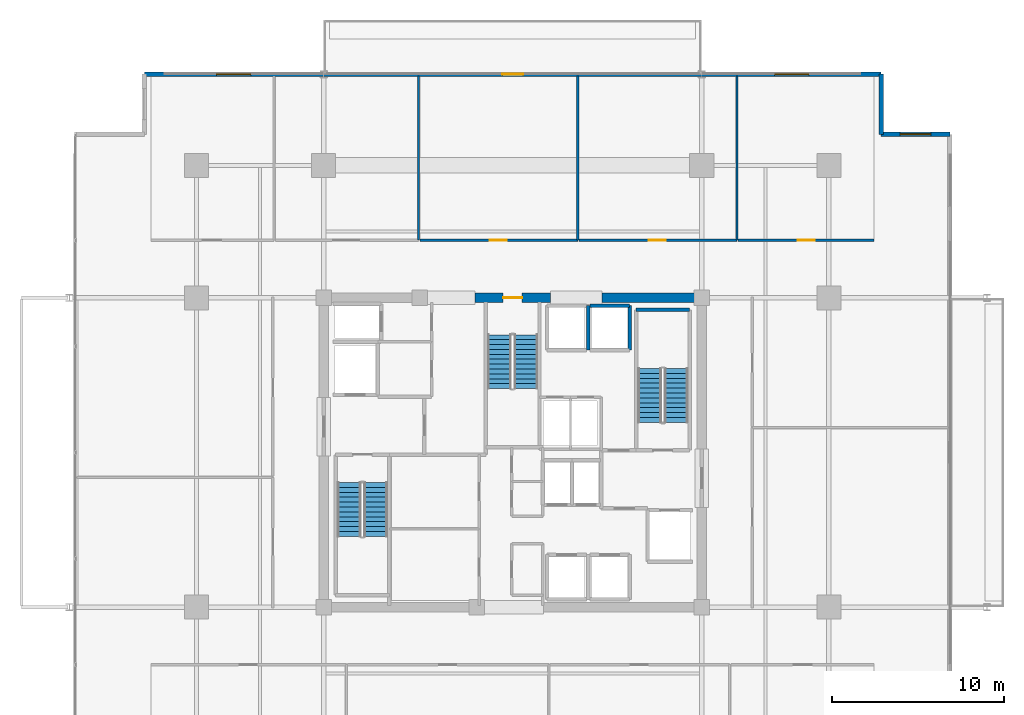
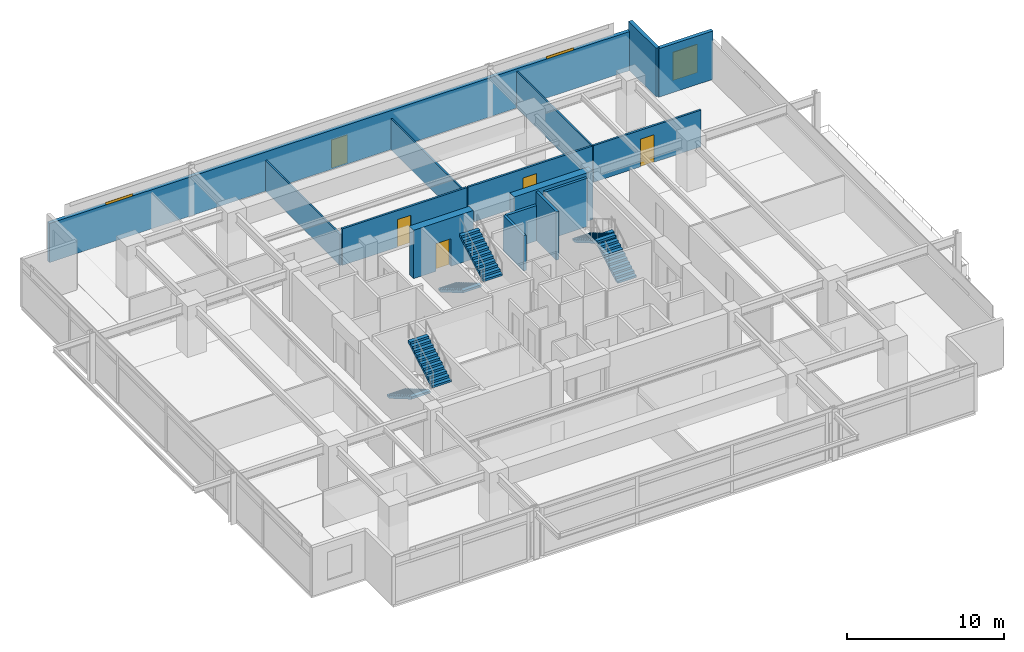
# One storey, part 17 of 21: 15 walls, 6 stair flights, 5 doors, 3 windows, 8 openings, 3 elements without a shape of their own.
"""IFC4 building model written with IfcOpenShell, lengths in metres."""

from ifc_helpers import new_model, si_unit, direction, frame, frame_2d, origin, place, context, subcontext, project, spatial, polyline, rectangle, outline, extrude, material, layer, layer_set, type_object, element, fill, aggregate, save


model = new_model("IFC4")

# Units and contexts
model_context = context("Model", 3, precision=1e-05, world=origin(), true_north=direction((0.0, 1.0)))
body_context = subcontext(model_context, "Body", "Model", "MODEL_VIEW")
ifc_project = project(units=[si_unit("LENGTHUNIT", "METRE"), si_unit("AREAUNIT", "SQUARE_METRE"), si_unit("VOLUMEUNIT", "CUBIC_METRE"), si_unit("PLANEANGLEUNIT", "RADIAN"), si_unit("MASSUNIT", "GRAM", prefix="KILO")], contexts=[model_context])

# Site, building, storey
site_placement = place(None, origin())
site = spatial("IfcSite", under=ifc_project, at=site_placement, CompositionType="ELEMENT")
building_placement = place(site_placement, origin())
building = spatial("IfcBuilding", under=site, at=building_placement, Name="Kovane Verandah Tower", CompositionType="ELEMENT")
storey_placement = place(building_placement, frame((0.0, 0.0, 217.199951171875)))
storey = spatial("IfcBuildingStorey", under=building, at=storey_placement, Name="L50", CompositionType="ELEMENT", Elevation=217.199951171875)

# Wall, opening, door
ifc_material_1 = material(Name="Fire-Rated Gypsum Stud Partition", Category="gypsum")
ifc_layer_1 = layer(ifc_material_1, 0.14990234375)
ifc_layer_set_1 = layer_set([ifc_layer_1], Name="Fire-Rated Gypsum Stud Partition")
wall_type_1 = type_object("IfcWallType", Name="WL-COR-150", PredefinedType="PARTITIONING", material=ifc_layer_set_1)
wall_1_placement = place(storey_placement, frame((34.600341796875, 39.85009765625, 0.0), z_axis=(0.0, 0.0, 1.0), x_axis=(1.0, 0.0, 0.0)))
wall_1 = element("IfcWall", 1, at=wall_1_placement, inside=storey, type_object=wall_type_1, Name="L50 Meeting Room N3 Corridor Partition", PredefinedType="PARTITIONING", context=body_context, shape_type="SweptSolid", body=[
    extrude(rectangle(XDim=9.186279296875, YDim=0.14990234375, at=frame_2d((4.59326171875, 0.0))), origin(), (0.0, 0.0, 1.0), 2.85009765625),
])
opening_1_placement = place(wall_1_placement, frame((4.05810546875, 0.0, 0.0)))
opening_1 = element("IfcOpeningElement", 2, at=opening_1_placement, cuts=wall_1, Name="Opening DR-L50-020", PredefinedType="OPENING", context=body_context, shape_type="SweptSolid", body=[
    extrude(rectangle(XDim=1.0, YDim=2.14990234375, at=frame_2d((0.5, 1.074951171875))), frame((0.0, 0.074951171875, 0.0), z_axis=(0.0, -1.0, 0.0), x_axis=(1.0, 0.0, 0.0)), (0.0, 0.0, 1.0), 0.14990234375),
])
ifc_material_2 = material(Name="FSC Spotted-Gum Timber Fire-Rated Office Door", Category="wood")
door_type_1 = type_object("IfcDoorType", Name="DR-OFF-1000", OperationType="SINGLE_SWING_LEFT", PredefinedType="DOOR", material=ifc_material_2)
door_1_placement = place(opening_1_placement, origin())
door_1 = element("IfcDoor", 3, at=door_1_placement, inside=storey, type_object=door_type_1, Name="L50 Meeting Room N3 Entrance Door", OperationType="SINGLE_SWING_RIGHT", OverallHeight=2.14990234375, OverallWidth=1.0, PredefinedType="DOOR", context=body_context, shape_type="SweptSolid", body=[
    extrude(rectangle(XDim=1.0, YDim=2.14990234375, at=frame_2d((0.5, 1.074951171875))), frame((0.0, 0.02490234375, 0.0), z_axis=(0.0, -1.0, 0.0), x_axis=(1.0, 0.0, 0.0)), (0.0, 0.0, 1.0), 0.050048828125),
])
fill(opening_1, door_1)

wall_2_placement = place(storey_placement, frame((43.856689453125, 39.85009765625, 0.0), z_axis=(0.0, 0.0, 1.0), x_axis=(1.0, 0.0, 0.0)))
wall_2 = element("IfcWall", 4, at=wall_2_placement, inside=storey, type_object=wall_type_1, Name="L50 Focus Studio N4 Corridor Partition", PredefinedType="PARTITIONING", context=body_context, shape_type="SweptSolid", body=[
    extrude(rectangle(XDim=9.1865234375, YDim=0.14990234375, at=frame_2d((4.59326171875, 0.0))), origin(), (0.0, 0.0, 1.0), 2.85009765625),
])
opening_2_placement = place(wall_2_placement, frame((4.058349609375, 0.0, 0.0)))
opening_2 = element("IfcOpeningElement", 5, at=opening_2_placement, cuts=wall_2, Name="Opening DR-L50-021", PredefinedType="OPENING", context=body_context, shape_type="SweptSolid", body=[
    extrude(rectangle(XDim=1.0, YDim=2.14990234375, at=frame_2d((0.5, 1.074951171875))), frame((0.0, 0.074951171875, 0.0), z_axis=(0.0, -1.0, 0.0), x_axis=(1.0, 0.0, 0.0)), (0.0, 0.0, 1.0), 0.14990234375),
])
door_2_placement = place(opening_2_placement, origin())
door_2 = element("IfcDoor", 6, at=door_2_placement, inside=storey, type_object=door_type_1, Name="L50 Focus Studio N4 Entrance Door", OperationType="SINGLE_SWING_LEFT", OverallHeight=2.14990234375, OverallWidth=1.0, PredefinedType="DOOR", context=body_context, shape_type="SweptSolid", body=[
    extrude(rectangle(XDim=1.0, YDim=2.14990234375, at=frame_2d((0.5, 1.074951171875))), frame((0.0, 0.02490234375, 0.0), z_axis=(0.0, -1.0, 0.0), x_axis=(1.0, 0.0, 0.0)), (0.0, 0.0, 1.0), 0.050048828125),
])
fill(opening_2, door_2)

wall_3_placement = place(storey_placement, frame((53.11328125, 39.85009765625, 0.0), z_axis=(0.0, 0.0, 1.0), x_axis=(1.0, 0.0, 0.0)))
wall_3 = element("IfcWall", 7, at=wall_3_placement, inside=storey, type_object=wall_type_1, Name="L50 Breakout Pantry N5 Corridor Partition", PredefinedType="PARTITIONING", context=body_context, shape_type="SweptSolid", body=[
    extrude(rectangle(XDim=7.924072265625, YDim=0.14990234375, at=frame_2d((3.9619140625, 0.0))), origin(), (0.0, 0.0, 1.0), 2.85009765625),
])
opening_3_placement = place(wall_3_placement, frame((3.462158203125, 0.0, 0.0)))
opening_3 = element("IfcOpeningElement", 8, at=opening_3_placement, cuts=wall_3, Name="Opening DR-L50-022", PredefinedType="OPENING", context=body_context, shape_type="SweptSolid", body=[
    extrude(rectangle(XDim=1.0, YDim=2.14990234375, at=frame_2d((0.5, 1.074951171875))), frame((0.0, 0.074951171875, 0.0), z_axis=(0.0, -1.0, 0.0), x_axis=(1.0, 0.0, 0.0)), (0.0, 0.0, 1.0), 0.14990234375),
])
door_3_placement = place(opening_3_placement, origin())
door_3 = element("IfcDoor", 9, at=door_3_placement, inside=storey, type_object=door_type_1, Name="L50 Breakout Pantry N5 Entrance Door", OperationType="SINGLE_SWING_RIGHT", OverallHeight=2.14990234375, OverallWidth=1.0, PredefinedType="DOOR", context=body_context, shape_type="SweptSolid", body=[
    extrude(rectangle(XDim=1.0, YDim=2.14990234375, at=frame_2d((0.5, 1.074951171875))), frame((0.0, 0.02490234375, 0.0), z_axis=(0.0, -1.0, 0.0), x_axis=(1.0, 0.0, 0.0)), (0.0, 0.0, 1.0), 0.050048828125),
])
fill(opening_3, door_3)

ifc_material_3 = material(Name="Concrete C60/75", Category="concrete")
ifc_layer_2 = layer(ifc_material_3, 0.550048828125)
ifc_layer_set_2 = layer_set([ifc_layer_2], Name="Concrete C60/75")
wall_type_2 = type_object("IfcWallType", Name="WL-CORE-550", PredefinedType="SHEAR", material=ifc_layer_set_2)
wall_4_placement = place(storey_placement, frame((37.800048828125, 36.5, 0.0), z_axis=(0.0, 0.0, 1.0), x_axis=(1.0, 0.0, 0.0)))
wall_4 = element("IfcWall", 10, at=wall_4_placement, inside=storey, type_object=wall_type_2, Name="L50 Core Shear Wall CN-2", PredefinedType="SHEAR", context=body_context, shape_type="SweptSolid", body=[
    extrude(rectangle(XDim=4.39990234375, YDim=0.550048828125, at=frame_2d((2.199951171875, 0.0))), origin(), (0.0, 0.0, 1.0), 3.775146484375),
])
opening_4_placement = place(wall_4_placement, frame((1.64990234375, 0.0, 0.0)))
opening_4 = element("IfcOpeningElement", 11, at=opening_4_placement, cuts=wall_4, Name="Opening DR-L50-011", PredefinedType="OPENING", context=body_context, shape_type="SweptSolid", body=[
    extrude(rectangle(XDim=1.10009765625, YDim=2.14990234375, at=frame_2d((0.550048828125, 1.074951171875))), frame((0.0, 0.27490234375, 0.0), z_axis=(0.0, -1.0, 0.0), x_axis=(1.0, 0.0, 0.0)), (0.0, 0.0, 1.0), 0.550048828125),
])
ifc_material_4 = material(Name="Fire-Rated Steel Exit Door", Category="steel")
door_type_2 = type_object("IfcDoorType", Name="DR-STAIR-1100", OperationType="SINGLE_SWING_LEFT", PredefinedType="DOOR", material=ifc_material_4)
door_4_placement = place(opening_4_placement, origin())
door_4 = element("IfcDoor", 12, at=door_4_placement, inside=storey, type_object=door_type_2, Name="L50 ST-03 Fire Exit Stair Door", OperationType="SINGLE_SWING_RIGHT", OverallHeight=2.14990234375, OverallWidth=1.10009765625, PredefinedType="DOOR", context=body_context, shape_type="SweptSolid", body=[
    extrude(rectangle(XDim=1.10009765625, YDim=2.14990234375, at=frame_2d((0.550048828125, 1.074951171875))), frame((0.0, 0.02490234375, 0.0), z_axis=(0.0, -1.0, 0.0), x_axis=(1.0, 0.0, 0.0)), (0.0, 0.0, 1.0), 0.050048828125),
])
fill(opening_4, door_4)

# Walls
wall_5_placement = place(storey_placement, frame((45.199951171875, 36.5, 0.0), z_axis=(0.0, 0.0, 1.0), x_axis=(1.0, 0.0, 0.0)))
element("IfcWall", 13, at=wall_5_placement, inside=storey, type_object=wall_type_2, Name="L50 Core Shear Wall CN-3", PredefinedType="SHEAR", context=body_context, shape_type="SweptSolid", body=[
    extrude(rectangle(XDim=5.800048828125, YDim=0.550048828125, at=frame_2d((2.89990234375, 0.0))), origin(), (0.0, 0.0, 1.0), 3.775146484375),
])
ifc_material_5 = material(Name="Concrete C45/55 Lift Shaft Wall", Category="concrete")
ifc_layer_3 = layer(ifc_material_5, 0.199951171875)
ifc_layer_set_3 = layer_set([ifc_layer_3], Name="Concrete C45/55 Lift Shaft Wall")
wall_type_3 = type_object("IfcWallType", Name="WL-LIFT-200", PredefinedType="SOLIDWALL", material=ifc_layer_set_3)
wall_6_placement = place(storey_placement, frame((44.39990234375, 33.449951171875, 0.0), z_axis=(0.0, 0.0, 1.0), x_axis=(0.0, 1.0, 0.0)))
element("IfcWall", 14, at=wall_6_placement, inside=storey, type_object=wall_type_3, Name="L50 Lift OL-01 and SL-01 Shared Shaft Wall", PredefinedType="SOLIDWALL", context=body_context, shape_type="SweptSolid", body=[
    extrude(rectangle(XDim=2.60009765625, YDim=0.199951171875, at=frame_2d((1.300048828125, 0.0))), origin(), (0.0, 0.0, 1.0), 2.755126953125),
])
wall_7_placement = place(storey_placement, frame((46.800048828125, 36.050048828125, 0.0), z_axis=(0.0, 0.0, 1.0), x_axis=(-1.0, 0.0, 0.0)))
element("IfcWall", 15, at=wall_7_placement, inside=storey, type_object=wall_type_3, Name="L50 Lift OL-01 N Shaft Wall", PredefinedType="SOLIDWALL", context=body_context, shape_type="SweptSolid", body=[
    extrude(rectangle(XDim=2.300048828125, YDim=0.199951171875, at=frame_2d((1.14990234375, 0.0))), origin(), (0.0, 0.0, 1.0), 2.755126953125),
])
wall_8_placement = place(storey_placement, frame((46.800048828125, 33.449951171875, 0.0), z_axis=(0.0, 0.0, 1.0), x_axis=(0.0, 1.0, 0.0)))
element("IfcWall", 16, at=wall_8_placement, inside=storey, type_object=wall_type_3, Name="L50 Lift OL-01 E Shaft Wall", PredefinedType="SOLIDWALL", context=body_context, shape_type="SweptSolid", body=[
    extrude(rectangle(XDim=2.60009765625, YDim=0.199951171875, at=frame_2d((1.300048828125, 0.0))), origin(), (0.0, 0.0, 1.0), 3.775146484375),
])
ifc_material_6 = material(Name="Acoustic Fire-Rated Gypsum Partition", Category="gypsum")
ifc_layer_4 = layer(ifc_material_6, 0.1201171875)
ifc_layer_set_4 = layer_set([ifc_layer_4], Name="Acoustic Fire-Rated Gypsum Partition")
wall_type_4 = type_object("IfcWallType", Name="WL-PART-120", PredefinedType="PARTITIONING", material=ifc_layer_set_4)
for number, where, z_axis, x_axis, name in (
    (17, (34.5302734375, 39.85009765625, 0.0), (0.0, 0.0, 1.0), (0.0, 1.0, 0.0), "L50 Client Boardroom N2 Dividing Partition"),
    (18, (43.78662109375, 39.85009765625, 0.0), (0.0, 0.0, 1.0), (0.0, 1.0, 0.0), "L50 Meeting Room N3 Dividing Partition"),
):
    element("IfcWall", number, at=place(storey_placement, frame(where, z_axis=z_axis, x_axis=x_axis)), inside=storey, type_object=wall_type_4, Name=name, PredefinedType="PARTITIONING", context=body_context, shape_type="SweptSolid", body=[
        extrude(rectangle(XDim=9.564208984375, YDim=0.1201171875, at=frame_2d((4.7822265625, 0.0))), origin(), (0.0, 0.0, 1.0), 2.405029296875),
    ])
wall_9_placement = place(storey_placement, frame((53.043212890625, 39.85009765625, 0.0), z_axis=(0.0, 0.0, 1.0), x_axis=(0.0, 1.0, 0.0)))
element("IfcWall", 19, at=wall_9_placement, inside=storey, type_object=wall_type_4, Name="L50 Focus Studio N4 Dividing Partition", PredefinedType="PARTITIONING", context=body_context, shape_type="SweptSolid", body=[
    extrude(rectangle(XDim=9.564208984375, YDim=0.1201171875, at=frame_2d((4.7822265625, 0.0))), origin(), (0.0, 0.0, 1.0), 2.85009765625),
])
ifc_material_7 = material(Name="Concrete C45/55", Category="concrete")
ifc_layer_5 = layer(ifc_material_7, 0.199951171875)
ifc_layer_set_5 = layer_set([ifc_layer_5], Name="Concrete C45/55")
wall_type_5 = type_object("IfcWallType", Name="WL-SHAFT-200", PredefinedType="SOLIDWALL", material=ifc_layer_set_5)
wall_10_placement = place(storey_placement, frame((47.179931640625, 35.800048828125, 0.0), z_axis=(0.0, 0.0, 1.0), x_axis=(1.0, 0.0, 0.0)))
element("IfcWall", 20, at=wall_10_placement, inside=storey, type_object=wall_type_5, Name="W-L50-ST02-N", PredefinedType="SOLIDWALL", context=body_context, shape_type="SweptSolid", body=[
    extrude(rectangle(XDim=3.1201171875, YDim=0.199951171875, at=frame_2d((1.56005859375, 0.0))), origin(), (0.0, 0.0, 1.0), 3.775146484375),
])

# Wall, openings, door, windows
ifc_material_8 = material(Name="Concrete C45/55 Insulated Spandrel Wall", Category="concrete")
ifc_layer_6 = layer(ifc_material_8, 0.260009765625)
ifc_layer_set_6 = layer_set([ifc_layer_6], Name="Concrete C45/55 Insulated Spandrel Wall")
wall_type_6 = type_object("IfcWallType", Name="WL-SPANDREL-260", PredefinedType="PARAPET", material=ifc_layer_set_6)
wall_11_placement = place(storey_placement, frame((61.4375, 49.514404296875, 0.0), z_axis=(0.0, 0.0, 1.0), x_axis=(-1.0, 0.0, 0.0)))
wall_11 = element("IfcWall", 21, at=wall_11_placement, inside=storey, type_object=wall_type_6, Name="L50 N Verandah Access Facade Wall", PredefinedType="PARAPET", context=body_context, shape_type="SweptSolid", body=[
    extrude(rectangle(XDim=42.875, YDim=0.260009765625, at=frame_2d((21.4375, 0.0))), origin(), (0.0, 0.0, 1.0), 3.047119140625),
])
opening_5_placement = place(wall_11_placement, frame((4.199951171875, 0.0, 0.85009765625)))
opening_5 = element("IfcOpeningElement", 22, at=opening_5_placement, cuts=wall_11, Name="Opening W-04", PredefinedType="OPENING", context=body_context, shape_type="SweptSolid", body=[
    extrude(rectangle(XDim=2.0, YDim=2.300048828125, at=frame_2d((1.0, 1.14990234375))), frame((0.0, 0.1298828125, 0.0), z_axis=(0.0, -1.0, 0.0), x_axis=(1.0, 0.0, 0.0)), (0.0, 0.0, 1.0), 0.260009765625),
])
opening_6_placement = place(wall_11_placement, frame((20.83740234375, 0.0, 0.0)))
opening_6 = element("IfcOpeningElement", 23, at=opening_6_placement, cuts=wall_11, Name="Opening DR-L50-002", PredefinedType="OPENING", context=body_context, shape_type="SweptSolid", body=[
    extrude(rectangle(XDim=1.199951171875, YDim=2.199951171875, at=frame_2d((0.60009765625, 1.10009765625))), frame((0.0, 0.1298828125, 0.0), z_axis=(0.0, -1.0, 0.0), x_axis=(1.0, 0.0, 0.0)), (0.0, 0.0, 1.0), 0.260009765625),
])
opening_7_placement = place(wall_11_placement, frame((36.6748046875, 0.0, 0.85009765625)))
opening_7 = element("IfcOpeningElement", 24, at=opening_7_placement, cuts=wall_11, Name="Opening W-04", PredefinedType="OPENING", context=body_context, shape_type="SweptSolid", body=[
    extrude(rectangle(XDim=2.0, YDim=2.300048828125, at=frame_2d((1.0, 1.14990234375))), frame((0.0, 0.1298828125, 0.0), z_axis=(0.0, -1.0, 0.0), x_axis=(1.0, 0.0, 0.0)), (0.0, 0.0, 1.0), 0.260009765625),
])
ifc_material_9 = material(Name="Cyclone-Rated Glazed Balcony Leaf Door", Category="aluminium")
door_type_3 = type_object("IfcDoorType", Name="DR-BAL-1200x2200", OperationType="SINGLE_SWING_LEFT", PredefinedType="DOOR", material=ifc_material_9)
door_5_placement = place(opening_6_placement, origin())
door_5 = element("IfcDoor", 25, at=door_5_placement, inside=storey, type_object=door_type_3, Name="L50 N Planted Balcony Access Door", OperationType="SINGLE_SWING_LEFT", OverallHeight=2.199951171875, OverallWidth=1.199951171875, PredefinedType="DOOR", context=body_context, shape_type="SweptSolid", body=[
    extrude(rectangle(XDim=1.199951171875, YDim=2.199951171875, at=frame_2d((0.60009765625, 1.10009765625))), frame((0.0, 0.02490234375, 0.0), z_axis=(0.0, -1.0, 0.0), x_axis=(1.0, 0.0, 0.0)), (0.0, 0.0, 1.0), 0.050048828125),
])
fill(opening_6, door_5)
ifc_material_10 = material(Name="Clear Low-E Laminated Double Glazing in Anodised Frame", Category="glass")
window_type_1 = type_object("IfcWindowType", Name="WN-FIXED-2000x2300", PartitioningType="SINGLE_PANEL", PredefinedType="WINDOW", material=ifc_material_10)
window_1_placement = place(opening_5_placement, origin())
window_1 = element("IfcWindow", 26, at=window_1_placement, inside=storey, type_object=window_type_1, Name="L50 N Verandah View Window 1", OverallHeight=2.300048828125, OverallWidth=2.0, PartitioningType="SINGLE_PANEL", PredefinedType="WINDOW", context=body_context, shape_type="SweptSolid", body=[
    extrude(rectangle(XDim=2.0, YDim=2.300048828125, at=frame_2d((1.0, 1.14990234375))), frame((0.0, 0.030029296875, 0.0), z_axis=(0.0, -1.0, 0.0), x_axis=(1.0, 0.0, 0.0)), (0.0, 0.0, 1.0), 0.06005859375),
])
fill(opening_5, window_1)
window_2_placement = place(opening_7_placement, origin())
window_2 = element("IfcWindow", 27, at=window_2_placement, inside=storey, type_object=window_type_1, Name="L50 N Verandah View Window 2", OverallHeight=2.300048828125, OverallWidth=2.0, PartitioningType="SINGLE_PANEL", PredefinedType="WINDOW", context=body_context, shape_type="SweptSolid", body=[
    extrude(rectangle(XDim=2.0, YDim=2.300048828125, at=frame_2d((1.0, 1.14990234375))), frame((0.0, 0.030029296875, 0.0), z_axis=(0.0, -1.0, 0.0), x_axis=(1.0, 0.0, 0.0)), (0.0, 0.0, 1.0), 0.06005859375),
])
fill(opening_7, window_2)

# Wall, opening, window
wall_12_placement = place(storey_placement, frame((65.4375, 46.014404296875, 0.0), z_axis=(0.0, 0.0, 1.0), x_axis=(-1.0, 0.0, 0.0)))
wall_12 = element("IfcWall", 28, at=wall_12_placement, inside=storey, type_object=wall_type_6, Name="L50 NE Notch Cheek Wall 1", PredefinedType="PARAPET", context=body_context, shape_type="SweptSolid", body=[
    extrude(rectangle(XDim=4.0, YDim=0.260009765625, at=frame_2d((2.0, 0.0))), origin(), (0.0, 0.0, 1.0), 3.775146484375),
])
opening_8_placement = place(wall_12_placement, frame((1.10009765625, 0.0, 0.85009765625)))
opening_8 = element("IfcOpeningElement", 29, at=opening_8_placement, cuts=wall_12, Name="Opening W-03", PredefinedType="OPENING", context=body_context, shape_type="SweptSolid", body=[
    extrude(rectangle(XDim=1.800048828125, YDim=2.199951171875, at=frame_2d((0.89990234375, 1.10009765625))), frame((0.0, 0.1298828125, 0.0), z_axis=(0.0, -1.0, 0.0), x_axis=(1.0, 0.0, 0.0)), (0.0, 0.0, 1.0), 0.260009765625),
])
window_type_2 = type_object("IfcWindowType", Name="WN-NOTCH-1800x2200", PartitioningType="SINGLE_PANEL", PredefinedType="WINDOW", material=ifc_material_10)
window_3_placement = place(opening_8_placement, origin())
window_3 = element("IfcWindow", 30, at=window_3_placement, inside=storey, type_object=window_type_2, Name="L50 NE Re-Entrant Corner Operable Window", OverallHeight=2.199951171875, OverallWidth=1.800048828125, PartitioningType="SINGLE_PANEL", PredefinedType="WINDOW", context=body_context, shape_type="SweptSolid", body=[
    extrude(rectangle(XDim=1.800048828125, YDim=2.199951171875, at=frame_2d((0.89990234375, 1.10009765625))), frame((0.0, 0.030029296875, 0.0), z_axis=(0.0, -1.0, 0.0), x_axis=(1.0, 0.0, 0.0)), (0.0, 0.0, 1.0), 0.06005859375),
])
fill(opening_8, window_3)

# Wall
wall_13_placement = place(storey_placement, frame((61.4375, 46.014404296875, 0.0), z_axis=(0.0, 0.0, 1.0), x_axis=(0.0, 1.0, 0.0)))
element("IfcWall", 31, at=wall_13_placement, inside=storey, type_object=wall_type_6, Name="L50 NE Notch Cheek Wall 2", PredefinedType="PARAPET", context=body_context, shape_type="SweptSolid", body=[
    extrude(rectangle(XDim=3.5, YDim=0.260009765625, at=frame_2d((1.75, 0.0))), origin(), (0.0, 0.0, 1.0), 3.775146484375),
])

# Stair, stair flights
stair_type = type_object("IfcStairType", Name="ST-CORE-1380", PredefinedType="HALF_TURN_STAIR", material=ifc_material_7)
stair_1_placement = place(storey_placement, origin())
stair_1 = element("IfcStair", 32, at=stair_1_placement, inside=storey, type_object=stair_type, Name="L50 Exit Stair ST-01", PredefinedType="HALF_TURN_STAIR")
stair_flight_type = type_object("IfcStairFlightType", Name="STF-CORE-1380", PredefinedType="STRAIGHT", material=ifc_material_7)
stair_flight_1_placement = place(storey_placement, frame((30.489990234375, 25.75, 0.0), z_axis=(0.0, 0.0, 1.0), x_axis=(0.0, -1.0, 0.0)))
stair_flight_1 = element("IfcStairFlight", 33, at=stair_flight_1_placement, type_object=stair_flight_type, Name="ST-01 flight 1", NumberOfRisers=12, NumberOfTreads=11, PredefinedType="STRAIGHT", RiserHeight=0.166666667, TreadLength=0.285, context=body_context, shape_type="SweptSolid", body=[
    extrude(outline(polyline([(0.0, 0.0), (0.0, 0.166748046875), (0.284912109375, 0.166748046875), (0.284912109375, 0.333251953125), (0.570068359375, 0.333251953125), (0.570068359375, 0.5), (0.85498046875, 0.5), (0.85498046875, 0.666748046875), (1.139892578125, 0.666748046875), (1.139892578125, 0.833251953125), (1.425048828125, 0.833251953125), (1.425048828125, 1.0), (1.7099609375, 1.0), (1.7099609375, 1.166748046875), (1.9951171875, 1.166748046875), (1.9951171875, 1.333251953125), (2.280029296875, 1.333251953125), (2.280029296875, 1.5), (2.56494140625, 1.5), (2.56494140625, 1.666748046875), (2.85009765625, 1.666748046875), (2.85009765625, 1.833251953125), (3.135009765625, 1.833251953125), (3.135009765625, 2.0), (3.135009765625, 1.65966796875), (0.296875, 0.0), (0.0, 0.0)])), frame((0.0, 0.68994140625, 0.0), z_axis=(0.0, -1.0, 0.0), x_axis=(1.0, 0.0, 0.0)), (0.0, 0.0, 1.0), 1.3798828125),
])
stair_flight_2_placement = place(storey_placement, frame((32.030029296875, 22.614990234375, 2.0), z_axis=(0.0, 0.0, 1.0), x_axis=(0.0, 1.0, 0.0)))
stair_flight_2 = element("IfcStairFlight", 34, at=stair_flight_2_placement, type_object=stair_flight_type, Name="ST-01 flight 2", NumberOfRisers=12, NumberOfTreads=11, PredefinedType="STRAIGHT", RiserHeight=0.166666667, TreadLength=0.285, context=body_context, shape_type="SweptSolid", body=[
    extrude(outline(polyline([(0.0, 0.0), (0.0, 0.166748046875), (0.284912109375, 0.166748046875), (0.284912109375, 0.333251953125), (0.570068359375, 0.333251953125), (0.570068359375, 0.5), (0.85498046875, 0.5), (0.85498046875, 0.666748046875), (1.139892578125, 0.666748046875), (1.139892578125, 0.833251953125), (1.425048828125, 0.833251953125), (1.425048828125, 1.0), (1.7099609375, 1.0), (1.7099609375, 1.166748046875), (1.9951171875, 1.166748046875), (1.9951171875, 1.333251953125), (2.280029296875, 1.333251953125), (2.280029296875, 1.5), (2.56494140625, 1.5), (2.56494140625, 1.666748046875), (2.85009765625, 1.666748046875), (2.85009765625, 1.833251953125), (3.135009765625, 1.833251953125), (3.135009765625, 2.0), (3.135009765625, 1.65966796875), (0.296875, 0.0), (0.0, 0.0)])), frame((0.0, 0.68994140625, 0.0), z_axis=(0.0, -1.0, 0.0), x_axis=(1.0, 0.0, 0.0)), (0.0, 0.0, 1.0), 1.3798828125),
])
aggregate(stair_1, [stair_flight_1, stair_flight_2])

stair_2_placement = place(storey_placement, origin())
stair_2 = element("IfcStair", 35, at=stair_2_placement, inside=storey, type_object=stair_type, Name="L50 Exit Stair ST-02", PredefinedType="HALF_TURN_STAIR")
stair_flight_3_placement = place(storey_placement, frame((49.510009765625, 29.25, 0.0), z_axis=(0.0, 0.0, 1.0), x_axis=(0.0, 1.0, 0.0)))
stair_flight_3 = element("IfcStairFlight", 36, at=stair_flight_3_placement, type_object=stair_flight_type, Name="ST-02 flight 1", NumberOfRisers=12, NumberOfTreads=11, PredefinedType="STRAIGHT", RiserHeight=0.166666667, TreadLength=0.285, context=body_context, shape_type="SweptSolid", body=[
    extrude(outline(polyline([(0.0, 0.0), (0.0, 0.166748046875), (0.284912109375, 0.166748046875), (0.284912109375, 0.333251953125), (0.570068359375, 0.333251953125), (0.570068359375, 0.5), (0.85498046875, 0.5), (0.85498046875, 0.666748046875), (1.139892578125, 0.666748046875), (1.139892578125, 0.833251953125), (1.425048828125, 0.833251953125), (1.425048828125, 1.0), (1.7099609375, 1.0), (1.7099609375, 1.166748046875), (1.9951171875, 1.166748046875), (1.9951171875, 1.333251953125), (2.280029296875, 1.333251953125), (2.280029296875, 1.5), (2.56494140625, 1.5), (2.56494140625, 1.666748046875), (2.85009765625, 1.666748046875), (2.85009765625, 1.833251953125), (3.135009765625, 1.833251953125), (3.135009765625, 2.0), (3.135009765625, 1.65966796875), (0.296875, 0.0), (0.0, 0.0)])), frame((0.0, 0.68994140625, 0.0), z_axis=(0.0, -1.0, 0.0), x_axis=(1.0, 0.0, 0.0)), (0.0, 0.0, 1.0), 1.3798828125),
])
stair_flight_4_placement = place(storey_placement, frame((47.969970703125, 32.385009765625, 2.0), z_axis=(0.0, 0.0, 1.0), x_axis=(0.0, -1.0, 0.0)))
stair_flight_4 = element("IfcStairFlight", 37, at=stair_flight_4_placement, type_object=stair_flight_type, Name="ST-02 flight 2", NumberOfRisers=12, NumberOfTreads=11, PredefinedType="STRAIGHT", RiserHeight=0.166666667, TreadLength=0.285, context=body_context, shape_type="SweptSolid", body=[
    extrude(outline(polyline([(0.0, 0.0), (0.0, 0.166748046875), (0.284912109375, 0.166748046875), (0.284912109375, 0.333251953125), (0.570068359375, 0.333251953125), (0.570068359375, 0.5), (0.85498046875, 0.5), (0.85498046875, 0.666748046875), (1.139892578125, 0.666748046875), (1.139892578125, 0.833251953125), (1.425048828125, 0.833251953125), (1.425048828125, 1.0), (1.7099609375, 1.0), (1.7099609375, 1.166748046875), (1.9951171875, 1.166748046875), (1.9951171875, 1.333251953125), (2.280029296875, 1.333251953125), (2.280029296875, 1.5), (2.56494140625, 1.5), (2.56494140625, 1.666748046875), (2.85009765625, 1.666748046875), (2.85009765625, 1.833251953125), (3.135009765625, 1.833251953125), (3.135009765625, 2.0), (3.135009765625, 1.65966796875), (0.296875, 0.0), (0.0, 0.0)])), frame((0.0, 0.68994140625, 0.0), z_axis=(0.0, -1.0, 0.0), x_axis=(1.0, 0.0, 0.0)), (0.0, 0.0, 1.0), 1.3798828125),
])
aggregate(stair_2, [stair_flight_3, stair_flight_4])

stair_3_placement = place(storey_placement, origin())
stair_3 = element("IfcStair", 38, at=stair_3_placement, inside=storey, type_object=stair_type, Name="L50 Exit Stair ST-03", PredefinedType="HALF_TURN_STAIR")
stair_flight_5_placement = place(storey_placement, frame((39.22998046875, 34.35009765625, 0.0), z_axis=(0.0, 0.0, 1.0), x_axis=(0.0, -1.0, 0.0)))
stair_flight_5 = element("IfcStairFlight", 39, at=stair_flight_5_placement, type_object=stair_flight_type, Name="ST-03 flight 1", NumberOfRisers=12, NumberOfTreads=11, PredefinedType="STRAIGHT", RiserHeight=0.166666667, TreadLength=0.285, context=body_context, shape_type="SweptSolid", body=[
    extrude(outline(polyline([(0.0, 0.0), (0.0, 0.166748046875), (0.284912109375, 0.166748046875), (0.284912109375, 0.333251953125), (0.570068359375, 0.333251953125), (0.570068359375, 0.5), (0.85498046875, 0.5), (0.85498046875, 0.666748046875), (1.139892578125, 0.666748046875), (1.139892578125, 0.833251953125), (1.425048828125, 0.833251953125), (1.425048828125, 1.0), (1.7099609375, 1.0), (1.7099609375, 1.166748046875), (1.9951171875, 1.166748046875), (1.9951171875, 1.333251953125), (2.280029296875, 1.333251953125), (2.280029296875, 1.5), (2.56494140625, 1.5), (2.56494140625, 1.666748046875), (2.85009765625, 1.666748046875), (2.85009765625, 1.833251953125), (3.135009765625, 1.833251953125), (3.135009765625, 2.0), (3.135009765625, 1.65966796875), (0.296875, 0.0), (0.0, 0.0)])), frame((0.0, 0.68994140625, 0.0), z_axis=(0.0, -1.0, 0.0), x_axis=(1.0, 0.0, 0.0)), (0.0, 0.0, 1.0), 1.3798828125),
])
stair_flight_6_placement = place(storey_placement, frame((40.77001953125, 31.215087890625, 2.0), z_axis=(0.0, 0.0, 1.0), x_axis=(0.0, 1.0, 0.0)))
stair_flight_6 = element("IfcStairFlight", 40, at=stair_flight_6_placement, type_object=stair_flight_type, Name="ST-03 flight 2", NumberOfRisers=12, NumberOfTreads=11, PredefinedType="STRAIGHT", RiserHeight=0.166666667, TreadLength=0.285, context=body_context, shape_type="SweptSolid", body=[
    extrude(outline(polyline([(0.0, 0.0), (0.0, 0.166748046875), (0.284912109375, 0.166748046875), (0.284912109375, 0.333251953125), (0.570068359375, 0.333251953125), (0.570068359375, 0.5), (0.85498046875, 0.5), (0.85498046875, 0.666748046875), (1.139892578125, 0.666748046875), (1.139892578125, 0.833251953125), (1.425048828125, 0.833251953125), (1.425048828125, 1.0), (1.7099609375, 1.0), (1.7099609375, 1.166748046875), (1.9951171875, 1.166748046875), (1.9951171875, 1.333251953125), (2.280029296875, 1.333251953125), (2.280029296875, 1.5), (2.56494140625, 1.5), (2.56494140625, 1.666748046875), (2.85009765625, 1.666748046875), (2.85009765625, 1.833251953125), (3.135009765625, 1.833251953125), (3.135009765625, 2.0), (3.135009765625, 1.65966796875), (0.296875, 0.0), (0.0, 0.0)])), frame((0.0, 0.68994140625, 0.0), z_axis=(0.0, -1.0, 0.0), x_axis=(1.0, 0.0, 0.0)), (0.0, 0.0, 1.0), 1.3798828125),
])
aggregate(stair_3, [stair_flight_5, stair_flight_6])

save(model, "model.ifc")
